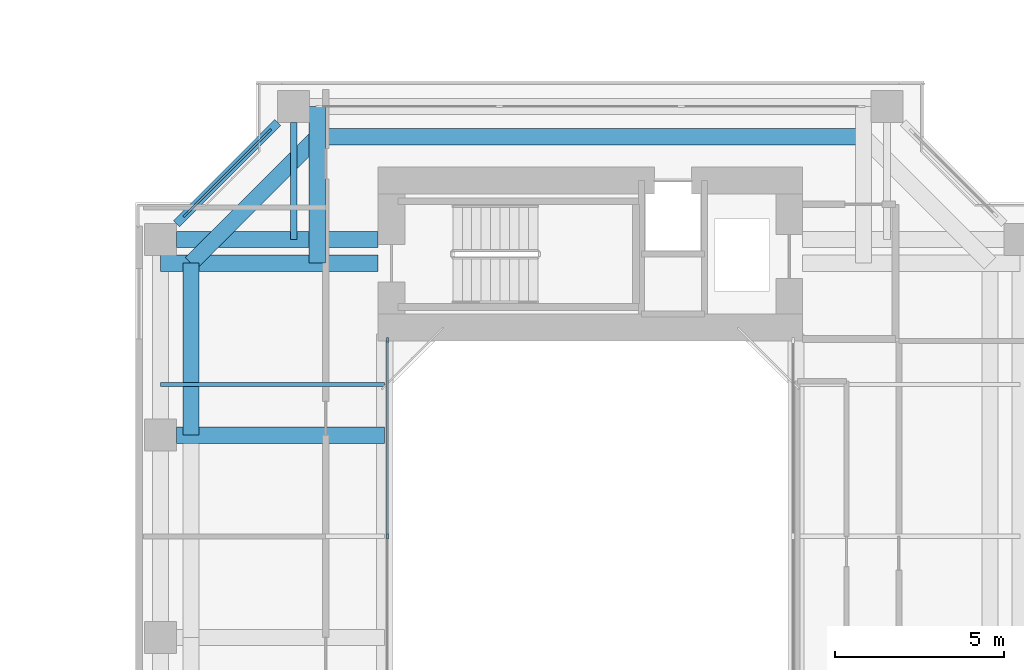
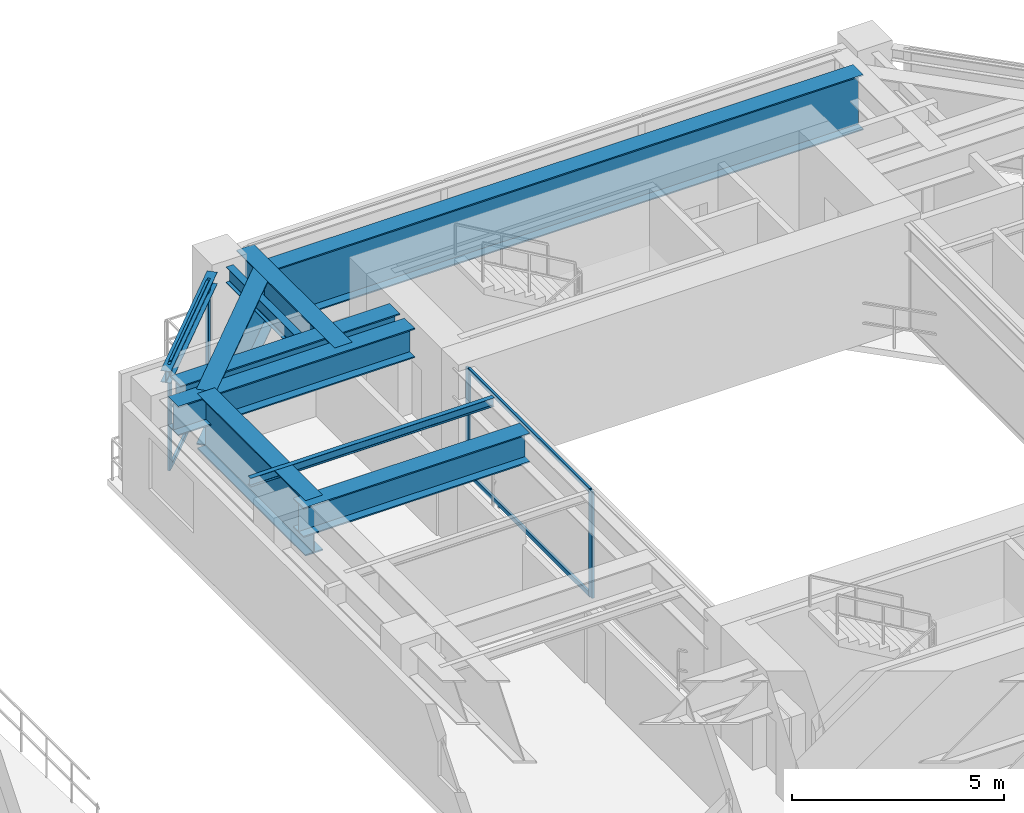
# One storey, part 9 of 23: 10 beams, 8 members, 2 elements without a shape of their own.
"""IFC4 building model written with IfcOpenShell, lengths in metres."""

import ifcopenshell
import ifcopenshell.guid

model = None  # the IFC model being written
_history = None  # IfcOwnerHistory: only IFC2X3 demands one
_inside = {}  # id of a spatial element -> (the spatial element, [elements in it])
_under = {}  # id of a project, library or spatial element -> (it, [spatial elements below it])
_declared = {}  # id of a project -> (the project, [libraries it declares])
_typed = {}  # id of a type object -> (the type object, [elements of that type])
_made_of = {}  # id of a material, layer set ... -> (it, [elements and type objects made of it])


def new_model(schema):
    """Start an empty IFC model of exactly this schema.

    Asked for "IFC4X3", IfcOpenShell would pick the latest addendum, in which some entities
    have other attributes; the version numbers below select the first issue.
    IFC2X3 requires an IfcOwnerHistory on every rooted entity: one is made here for all.
    """
    global model, _history
    if schema == "IFC4X3":
        model = ifcopenshell.file(schema_version=(4, 3, 0, 0))
    else:
        model = ifcopenshell.file(schema=schema)
    _inside.clear()
    _under.clear()
    _declared.clear()
    _typed.clear()
    _made_of.clear()
    _history = None
    if model.schema == "IFC2X3":
        org = make("IfcOrganization", Name="unknown")
        user = make(
            "IfcPersonAndOrganization",
            ThePerson=make("IfcPerson", FamilyName="unknown"),
            TheOrganization=org,
        )
        app = make(
            "IfcApplication",
            ApplicationDeveloper=org,
            Version="unknown",
            ApplicationFullName="unknown",
            ApplicationIdentifier="unknown",
        )
        _history = make(
            "IfcOwnerHistory",
            OwningUser=user,
            OwningApplication=app,
            ChangeAction="ADDED",
            CreationDate=0,
        )
    return model


def make(cls, **values):
    """One entity of the class cls with the attributes given. An attribute that is None is left unset."""
    return model.create_entity(
        cls, **{name: value for name, value in values.items() if value is not None}
    )


def rooted(cls, **values):
    """An entity with a GlobalId (a new one), such as an element, a storey or a relation."""
    return make(cls, GlobalId=ifcopenshell.guid.new(), OwnerHistory=_history, **values)


def si_unit(unit_type, name, prefix=None):
    """IfcSIUnit, for example si_unit("LENGTHUNIT", "METRE", prefix="MILLI")."""
    return make("IfcSIUnit", UnitType=unit_type, Prefix=prefix, Name=name)


def assignment(units):
    """IfcUnitAssignment: the units of a project."""
    return None if units is None else make("IfcUnitAssignment", Units=units)


def point(xyz):
    """IfcCartesianPoint."""
    return None if xyz is None else make("IfcCartesianPoint", Coordinates=xyz)


def direction(xyz):
    """IfcDirection."""
    return None if xyz is None else make("IfcDirection", DirectionRatios=xyz)


def frame(location, z_axis=None, x_axis=None):
    """IfcAxis2Placement3D, a coordinate frame: its origin and axes. An axis left out is left unset."""
    return make(
        "IfcAxis2Placement3D",
        Location=point(location),
        Axis=direction(z_axis),
        RefDirection=direction(x_axis),
    )


def frame_2d(location, x_axis=None):
    """IfcAxis2Placement2D, a coordinate frame in the plane: its origin and x axis."""
    return make(
        "IfcAxis2Placement2D", Location=point(location), RefDirection=direction(x_axis)
    )


def origin():
    """The frame at (0, 0, 0) with its axes left unset."""
    return frame((0.0, 0.0, 0.0))


def origin_2d():
    """The frame at (0, 0) in the plane with its x axis left unset."""
    return frame_2d((0.0, 0.0))


def place(relative_to, where):
    """IfcLocalPlacement: puts the frame where relative to a parent placement (None: the world)."""
    return make(
        "IfcLocalPlacement", PlacementRelTo=relative_to, RelativePlacement=where
    )


def context(
    kind, dimensions, precision=None, world=None, true_north=None, identifier=None
):
    """IfcGeometricRepresentationContext, for example the 3D "Model" context."""
    return make(
        "IfcGeometricRepresentationContext",
        ContextIdentifier=identifier,
        ContextType=kind,
        CoordinateSpaceDimension=dimensions,
        Precision=precision,
        WorldCoordinateSystem=world,
        TrueNorth=true_north,
    )


def subcontext(parent, identifier, kind, view, scale=None):
    """IfcGeometricRepresentationSubContext, for example "Body" below "Model"."""
    return make(
        "IfcGeometricRepresentationSubContext",
        ContextIdentifier=identifier,
        ContextType=kind,
        ParentContext=parent,
        TargetScale=scale,
        TargetView=view,
    )


def project(units=None, contexts=None):
    """IfcProject with its units and contexts."""
    return rooted(
        "IfcProject",
        Name="project",
        RepresentationContexts=contexts,
        UnitsInContext=assignment(units),
    )


def spatial(cls, under=None, at=None, **own):
    """A site, building, storey or space (cls), placed at a placement, below another one or the project."""
    s = rooted(cls, ObjectPlacement=at, **own)
    if under is not None:
        _under.setdefault(under.id(), (under, []))[1].append(s)
    return s


def profile(cls, at=None, kind="AREA", **sizes):
    """A parametric profile (cls). Its sizes go by their IFC names, for example OverallWidth=200.0."""
    return make(cls, ProfileType=kind, Position=at, **sizes)


def rectangle(**sizes):
    """IfcRectangleProfileDef."""
    return profile("IfcRectangleProfileDef", **sizes)


def i_section(**sizes):
    """IfcIShapeProfileDef."""
    return profile("IfcIShapeProfileDef", **sizes)


def extrude(swept, where, along, depth):
    """IfcExtrudedAreaSolid: the profile swept, set in the frame where, extruded along a direction by depth."""
    return make(
        "IfcExtrudedAreaSolid",
        SweptArea=swept,
        Position=where,
        ExtrudedDirection=direction(along),
        Depth=depth,
    )


def shape(context_of_items, identifier, shape_type, items):
    """IfcShapeRepresentation: the items that make up one representation, for example the "Body"."""
    return make(
        "IfcShapeRepresentation",
        ContextOfItems=context_of_items,
        RepresentationIdentifier=identifier,
        RepresentationType=shape_type,
        Items=items,
    )


def source(mapping_origin, context_of_items, identifier, shape_type, items):
    """IfcRepresentationMap: a shape defined once, which mapped items show again and again."""
    return make(
        "IfcRepresentationMap",
        MappingOrigin=mapping_origin,
        MappedRepresentation=shape(context_of_items, identifier, shape_type, items),
    )


def transform(
    local_origin,
    x_axis=None,
    y_axis=None,
    z_axis=None,
    scale=None,
    scale2=None,
    scale3=None,
    uniform=True,
):
    """IfcCartesianTransformationOperator3D, or its non-uniform kind. x_axis, y_axis, z_axis: its Axis1, 2, 3."""
    if uniform:
        return make(
            "IfcCartesianTransformationOperator3D",
            Axis1=direction(x_axis),
            Axis2=direction(y_axis),
            LocalOrigin=point(local_origin),
            Scale=scale,
            Axis3=direction(z_axis),
        )
    return make(
        "IfcCartesianTransformationOperator3DnonUniform",
        Axis1=direction(x_axis),
        Axis2=direction(y_axis),
        LocalOrigin=point(local_origin),
        Scale=scale,
        Axis3=direction(z_axis),
        Scale2=scale2,
        Scale3=scale3,
    )


def mapped(mapping_source, mapping_target):
    """IfcMappedItem: shows the shape of a source again, moved by a transform."""
    return make(
        "IfcMappedItem", MappingSource=mapping_source, MappingTarget=mapping_target
    )


def material(Name=None, Category=None):
    """IfcMaterial."""
    return make("IfcMaterial", Name=Name, Category=Category)


def layer(
    of_material, thickness, ventilated=None, Name=None, Category=None, Priority=None
):
    """IfcMaterialLayer: one layer of a wall or slab, of a material (None: an air gap)."""
    return make(
        "IfcMaterialLayer",
        Material=of_material,
        LayerThickness=thickness,
        IsVentilated=ventilated,
        Name=Name,
        Category=Category,
        Priority=Priority,
    )


def layer_set(layers, Name=None):
    """IfcMaterialLayerSet."""
    return make("IfcMaterialLayerSet", MaterialLayers=layers, LayerSetName=Name)


def material_profile(
    of_material, cross_section, Name=None, Category=None, Priority=None
):
    """IfcMaterialProfile: a cross section and its material."""
    return make(
        "IfcMaterialProfile",
        Name=Name,
        Material=of_material,
        Profile=cross_section,
        Priority=Priority,
        Category=Category,
    )


def profile_set(profiles, Name=None, composite=None):
    """IfcMaterialProfileSet."""
    return make(
        "IfcMaterialProfileSet",
        Name=Name,
        MaterialProfiles=profiles,
        CompositeProfile=composite,
    )


def made_of(thing, what):
    """Note that an element or type object is made of a material, layer set ...; save() writes the relation."""
    if what is not None:
        _made_of.setdefault(what.id(), (what, []))[1].append(thing)
    return thing


def type_object(cls, material=None, **own):
    """A type object (cls), such as IfcWallType, which elements share."""
    return made_of(rooted(cls, **own), material)


def element(
    cls,
    number,
    at=None,
    inside=None,
    cuts=None,
    type_object=None,
    material=None,
    context=None,
    identifier="Body",
    shape_type=None,
    held_by="IfcProductDefinitionShape",
    body=None,
    shapes=None,
    **own,
):
    """One element of the class cls, such as IfcWall. Its Tag is "e" and its number.

    at: its placement. inside: the storey or other place that contains it. cuts: it is an
    opening in that element (IfcRelVoidsElement). A single representation is given by context,
    identifier, shape_type and body (its items); several are given by shapes. held_by: the class
    of the entity that holds the representations. save() writes the other relations.
    """
    e = rooted(cls, Tag="e%d" % number, ObjectPlacement=at, **own)
    if body is not None:
        shapes = [shape(context, identifier, shape_type, body)]
    if shapes is not None:
        e.Representation = make(held_by, Representations=shapes)
    if inside is not None:
        _inside.setdefault(inside.id(), (inside, []))[1].append(e)
    if cuts is not None:
        rooted(
            "IfcRelVoidsElement", RelatingBuildingElement=cuts, RelatedOpeningElement=e
        )
    if type_object is not None:
        _typed.setdefault(type_object.id(), (type_object, []))[1].append(e)
    return made_of(e, material)


def aggregate(whole, parts):
    """IfcRelAggregates: a whole, such as a stair, and the parts it consists of."""
    return rooted("IfcRelAggregates", RelatingObject=whole, RelatedObjects=parts)


def save(model, path):
    """Write the relations noted so far, then the file.

    IfcRelAggregates (storeys below a building ...), IfcRelContainedInSpatialStructure (elements
    in a storey), IfcRelDefinesByType, IfcRelAssociatesMaterial and IfcRelDeclares: one each for
    every whole, place, type object, material and project.
    """
    for whole, parts in _under.values():
        aggregate(whole, parts)
    for where, things in _inside.values():
        rooted(
            "IfcRelContainedInSpatialStructure",
            RelatedElements=things,
            RelatingStructure=where,
        )
    for kind, things in _typed.values():
        rooted("IfcRelDefinesByType", RelatedObjects=things, RelatingType=kind)
    for what, things in _made_of.values():
        rooted("IfcRelAssociatesMaterial", RelatedObjects=things, RelatingMaterial=what)
    for by, libraries in _declared.values():
        rooted("IfcRelDeclares", RelatingContext=by, RelatedDefinitions=libraries)
    model.write(path)


model = new_model("IFC4")

# Units and contexts
model_context = context("Model", 3, precision=1e-05, world=origin(), true_north=direction((0.0, 1.0)))
body_context = subcontext(model_context, "Body", "Model", "MODEL_VIEW")
ifc_project = project(units=[si_unit("LENGTHUNIT", "METRE"), si_unit("AREAUNIT", "SQUARE_METRE"), si_unit("VOLUMEUNIT", "CUBIC_METRE"), si_unit("PLANEANGLEUNIT", "RADIAN"), si_unit("MASSUNIT", "GRAM", prefix="KILO"), si_unit("THERMODYNAMICTEMPERATUREUNIT", "KELVIN"), si_unit("POWERUNIT", "WATT")], contexts=[model_context])

# Site, building, storey
site_placement = place(None, origin())
site = spatial("IfcSite", under=ifc_project, at=site_placement, CompositionType="ELEMENT")
building_placement = place(site_placement, origin())
building = spatial("IfcBuilding", under=site, at=building_placement, Name="Qiaomeng Ring Towers", CompositionType="ELEMENT")
storey_placement = place(building_placement, frame((0.0, 0.0, 66.5)))
storey = spatial("IfcBuildingStorey", under=building, at=storey_placement, Name="L18", CompositionType="ELEMENT", Elevation=66.5)

# Beams
ifc_material_1 = material(Name="Steel Q355B", Category="steel")
ifc_material_profile_1 = material_profile(ifc_material_1, i_section(OverallWidth=0.25, OverallDepth=0.340087890625, WebThickness=0.009033203125, FlangeThickness=0.013916015625, FilletRadius=0.02001953125, at=origin_2d()), Name="HM 340x250x9x14")
ifc_profile_set_1 = profile_set([ifc_material_profile_1], Name="Steel Q355B")
beam_type_1 = type_object("IfcBeamType", Name="STR-BM-HM340", PredefinedType="SPANDREL", material=ifc_profile_set_1)
shared_shape_1 = source(origin(), body_context, "Body", "SweptSolid", [
    extrude(i_section(OverallWidth=0.25, OverallDepth=0.340087890625, WebThickness=0.009033203125, FlangeThickness=0.013916015625, FilletRadius=0.02001953125, at=origin_2d()), origin(), (0.0, 0.0, 1.0), 4.244384765625),
])
beam_1_placement = place(storey_placement, frame((51.2255859375, 35.275634765625, 2.89990234375), z_axis=(-0.707106781187, -0.707106781187, 0.0), x_axis=(0.707106781187, -0.707106781187, 0.0)))
element("IfcBeam", 1, at=beam_1_placement, inside=storey, type_object=beam_type_1, Name="L18 beam STR-SP-L18-T2-N1-W4", PredefinedType="SPANDREL", context=body_context, shape_type="MappedRepresentation", body=[
    mapped(shared_shape_1, transform((0.0, 0.0, 0.0), x_axis=(1.0, 0.0, 0.0), y_axis=(0.0, 1.0, 0.0), z_axis=(0.0, 0.0, 1.0), scale=1.0)),
])
ifc_material_profile_2 = material_profile(ifc_material_1, i_section(OverallWidth=0.199951171875, OverallDepth=0.449951171875, WebThickness=0.009033203125, FlangeThickness=0.013916015625, FilletRadius=0.01806640625, at=origin_2d()), Name="HN 450x200x9x14")
ifc_profile_set_2 = profile_set([ifc_material_profile_2], Name="Steel Q355B")
beam_type_2 = type_object("IfcBeamType", Name="STR-BM-HN450", PredefinedType="SPANDREL", material=ifc_profile_set_2)
shared_shape_2 = source(origin(), body_context, "Body", "SweptSolid", [
    extrude(i_section(OverallWidth=0.199951171875, OverallDepth=0.449951171875, WebThickness=0.009033203125, FlangeThickness=0.013916015625, FilletRadius=0.01806640625, at=origin_2d()), origin(), (0.0, 0.0, 1.0), 3.475830078125),
])
beam_2_placement = place(storey_placement, frame((51.699951171875, 35.27587890625, 2.844970703125), z_axis=(0.0, -1.0, 0.0), x_axis=(1.0, 0.0, 0.0)))
element("IfcBeam", 2, at=beam_2_placement, inside=storey, type_object=beam_type_2, Name="L18 beam STR-BM-L18-T2-RAD-N1", PredefinedType="SPANDREL", context=body_context, shape_type="MappedRepresentation", body=[
    mapped(shared_shape_2, transform((0.0, 0.0, 0.0), x_axis=(1.0, 0.0, 0.0), y_axis=(0.0, 1.0, 0.0), z_axis=(0.0, 0.0, 1.0), scale=1.0)),
])
ifc_material_profile_3 = material_profile(ifc_material_1, i_section(OverallWidth=0.125, OverallDepth=0.25, WebThickness=0.006103515625, FlangeThickness=0.009033203125, FilletRadius=0.011962890625, at=origin_2d()), Name="HN 250x125x6x9")
ifc_profile_set_3 = profile_set([ifc_material_profile_3], Name="Steel Q355B")
beam_type_3 = type_object("IfcBeamType", Name="STR-BM-HN250", PredefinedType="JOIST", material=ifc_profile_set_3)
shared_shape_3 = source(origin(), body_context, "Body", "SweptSolid", [
    extrude(i_section(OverallWidth=0.125, OverallDepth=0.25, WebThickness=0.006103515625, FlangeThickness=0.009033203125, FilletRadius=0.011962890625, at=origin_2d()), origin(), (0.0, 0.0, 1.0), 6.64990234375),
])
beam_3_placement = place(storey_placement, frame((47.75, 27.5, 2.945068359375), z_axis=(1.0, 0.0, 0.0), x_axis=(0.0, 1.0, 0.0)))
element("IfcBeam", 3, at=beam_3_placement, inside=storey, type_object=beam_type_3, Name="L18 beam STR-JST-L18-T2W-3", PredefinedType="JOIST", context=body_context, shape_type="MappedRepresentation", body=[
    mapped(shared_shape_3, transform((0.0, 0.0, 0.0), x_axis=(1.0, 0.0, 0.0), y_axis=(0.0, 1.0, 0.0), z_axis=(0.0, 0.0, 1.0), scale=1.0)),
])
ifc_material_2 = material(Name="Steel Q390GJC", Category="steel")
ifc_material_profile_4 = material_profile(ifc_material_2, i_section(OverallWidth=0.47998046875, OverallDepth=0.85009765625, WebThickness=0.02197265625, FlangeThickness=0.035888671875, at=origin_2d()), Name="WH 850x480x22x36")
ifc_profile_set_4 = profile_set([ifc_material_profile_4], Name="Steel Q390GJC")
beam_type_4 = type_object("IfcBeamType", Name="STR-TG-WH850", PredefinedType="USERDEFINED", material=ifc_profile_set_4)
shared_shape_4 = source(origin(), body_context, "Body", "SweptSolid", [
    extrude(i_section(OverallWidth=0.47998046875, OverallDepth=0.85009765625, WebThickness=0.02197265625, FlangeThickness=0.035888671875, at=origin_2d()), origin(), (0.0, 0.0, 1.0), 5.975830078125),
])
beam_4_placement = place(storey_placement, frame((48.22412109375, 31.800048828125, 2.64501953125), z_axis=(1.0, 0.0, 0.0), x_axis=(0.0, 1.0, 0.0)))
element("IfcBeam", 4, at=beam_4_placement, inside=storey, type_object=beam_type_4, Name="L18 Transfer Girder STR-TG3-L18-T2-W4-CUR", ObjectType="TRANSFER GIRDER", PredefinedType="USERDEFINED", context=body_context, shape_type="MappedRepresentation", body=[
    mapped(shared_shape_4, transform((0.0, 0.0, 0.0), x_axis=(1.0, 0.0, 0.0), y_axis=(0.0, 1.0, 0.0), z_axis=(0.0, 0.0, 1.0), scale=1.0)),
])
shared_shape_5 = source(origin(), body_context, "Body", "SweptSolid", [
    extrude(i_section(OverallWidth=0.47998046875, OverallDepth=0.85009765625, WebThickness=0.02197265625, FlangeThickness=0.035888671875, at=origin_2d()), origin(), (0.0, 0.0, 1.0), 6.449951171875),
])
beam_5_placement = place(storey_placement, frame((47.75, 31.10009765625, 2.64501953125), z_axis=(1.0, 0.0, 0.0), x_axis=(0.0, 1.0, 0.0)))
element("IfcBeam", 5, at=beam_5_placement, inside=storey, type_object=beam_type_4, Name="L18 Transfer Girder STR-TG3-L18-T2-W4-NXT", ObjectType="TRANSFER GIRDER", PredefinedType="USERDEFINED", context=body_context, shape_type="MappedRepresentation", body=[
    mapped(shared_shape_5, transform((0.0, 0.0, 0.0), x_axis=(1.0, 0.0, 0.0), y_axis=(0.0, 1.0, 0.0), z_axis=(0.0, 0.0, 1.0), scale=1.0)),
])
shared_shape_6 = source(origin(), body_context, "Body", "SweptSolid", [
    extrude(i_section(OverallWidth=0.47998046875, OverallDepth=0.85009765625, WebThickness=0.02197265625, FlangeThickness=0.035888671875, at=origin_2d()), origin(), (0.0, 0.0, 1.0), 6.17578125),
])
beam_6_placement = place(storey_placement, frame((48.22412109375, 26.0, 2.64501953125), z_axis=(1.0, 0.0, 0.0), x_axis=(0.0, 1.0, 0.0)))
element("IfcBeam", 6, at=beam_6_placement, inside=storey, type_object=beam_type_4, Name="L18 Transfer Girder STR-TG3-L18-T2-W3", ObjectType="TRANSFER GIRDER", PredefinedType="USERDEFINED", context=body_context, shape_type="MappedRepresentation", body=[
    mapped(shared_shape_6, transform((0.0, 0.0, 0.0), x_axis=(1.0, 0.0, 0.0), y_axis=(0.0, 1.0, 0.0), z_axis=(0.0, 0.0, 1.0), scale=1.0)),
])
shared_shape_7 = source(origin(), body_context, "Body", "SweptSolid", [
    extrude(i_section(OverallWidth=0.47998046875, OverallDepth=0.85009765625, WebThickness=0.02197265625, FlangeThickness=0.035888671875, at=origin_2d()), origin(), (0.0, 0.0, 1.0), 4.64990234375),
])
beam_7_placement = place(storey_placement, frame((52.39990234375, 35.75, 2.64501953125), z_axis=(0.0, -1.0, 0.0), x_axis=(1.0, 0.0, 0.0)))
element("IfcBeam", 7, at=beam_7_placement, inside=storey, type_object=beam_type_4, Name="L18 Transfer Girder STR-TG3-L18-T2-N1", ObjectType="TRANSFER GIRDER", PredefinedType="USERDEFINED", context=body_context, shape_type="MappedRepresentation", body=[
    mapped(shared_shape_7, transform((0.0, 0.0, 0.0), x_axis=(1.0, 0.0, 0.0), y_axis=(0.0, 1.0, 0.0), z_axis=(0.0, 0.0, 1.0), scale=1.0)),
])
ifc_material_profile_5 = material_profile(ifc_material_2, i_section(OverallWidth=0.47998046875, OverallDepth=1.60009765625, WebThickness=0.02197265625, FlangeThickness=0.035888671875, at=origin_2d()), Name="WH 1600x480x22x36")
ifc_profile_set_5 = profile_set([ifc_material_profile_5], Name="Steel Q390GJC")
beam_type_5 = type_object("IfcBeamType", Name="STR-TG-WH1600", PredefinedType="USERDEFINED", material=ifc_profile_set_5)
shared_shape_8 = source(origin(), body_context, "Body", "SweptSolid", [
    extrude(i_section(OverallWidth=0.47998046875, OverallDepth=1.60009765625, WebThickness=0.02197265625, FlangeThickness=0.035888671875, at=origin_2d()), origin(), (0.0, 0.0, 1.0), 16.2001953125),
])
beam_8_placement = place(storey_placement, frame((68.60009765625, 34.85009765625, 2.27001953125), z_axis=(-1.0, 0.0, 0.0), x_axis=(0.0, -1.0, 0.0)))
element("IfcBeam", 8, at=beam_8_placement, inside=storey, type_object=beam_type_5, Name="L18 Transfer Girder STR-TG3-L18-T2-N2-N1", ObjectType="TRANSFER GIRDER", PredefinedType="USERDEFINED", context=body_context, shape_type="MappedRepresentation", body=[
    mapped(shared_shape_8, transform((0.0, 0.0, 0.0), x_axis=(1.0, 0.0, 0.0), y_axis=(0.0, 1.0, 0.0), z_axis=(0.0, 0.0, 1.0), scale=1.0)),
])
shared_shape_9 = source(origin(), body_context, "Body", "SweptSolid", [
    extrude(i_section(OverallWidth=0.47998046875, OverallDepth=1.60009765625, WebThickness=0.02197265625, FlangeThickness=0.035888671875, at=origin_2d()), origin(), (0.0, 0.0, 1.0), 5.30322265625),
])
beam_9_placement = place(storey_placement, frame((52.39990234375, 34.85009765625, 2.27001953125), z_axis=(-0.707106781187, -0.707106781187, 0.0), x_axis=(0.707106781187, -0.707106781187, 0.0)))
element("IfcBeam", 9, at=beam_9_placement, inside=storey, type_object=beam_type_5, Name="L18 Transfer Girder STR-TG3-L18-T2-N1-W4", ObjectType="TRANSFER GIRDER", PredefinedType="USERDEFINED", context=body_context, shape_type="MappedRepresentation", body=[
    mapped(shared_shape_9, transform((0.0, 0.0, 0.0), x_axis=(1.0, 0.0, 0.0), y_axis=(0.0, 1.0, 0.0), z_axis=(0.0, 0.0, 1.0), scale=1.0)),
])
shared_shape_10 = source(origin(), body_context, "Body", "SweptSolid", [
    extrude(i_section(OverallWidth=0.47998046875, OverallDepth=1.60009765625, WebThickness=0.02197265625, FlangeThickness=0.035888671875, at=origin_2d()), origin(), (0.0, 0.0, 1.0), 5.10009765625),
])
beam_10_placement = place(storey_placement, frame((48.64990234375, 31.10009765625, 2.27001953125), z_axis=(0.0, -1.0, 0.0), x_axis=(1.0, 0.0, 0.0)))
element("IfcBeam", 10, at=beam_10_placement, inside=storey, type_object=beam_type_5, Name="L18 Transfer Girder STR-TG3-L18-T2-W4-W3", ObjectType="TRANSFER GIRDER", PredefinedType="USERDEFINED", context=body_context, shape_type="MappedRepresentation", body=[
    mapped(shared_shape_10, transform((0.0, 0.0, 0.0), x_axis=(1.0, 0.0, 0.0), y_axis=(0.0, 1.0, 0.0), z_axis=(0.0, 0.0, 1.0), scale=1.0)),
])

# Curtain wall, members
ifc_material_3 = material(Name="Fluorocarbon dark-grey aluminium", Category="aluminium")
ifc_layer_1 = layer(ifc_material_3, 0.139892578125, Name="Fluorocarbon dark-grey aluminium")
ifc_layer_set_1 = layer_set([ifc_layer_1], Name="Fluorocarbon dark-grey aluminium")
curtain_wall_type_1 = type_object("IfcCurtainWallType", Name="ARC-CW-4", PredefinedType="NOTDEFINED", material=ifc_layer_set_1)
curtain_wall_1_placement = place(storey_placement, origin())
curtain_wall_1 = element("IfcCurtainWall", 11, at=curtain_wall_1_placement, inside=storey, type_object=curtain_wall_type_1, Name="L18 Curtain Wall CW4", PredefinedType="NOTDEFINED")
ifc_material_profile_6 = material_profile(ifc_material_3, rectangle(XDim=0.06494140625, YDim=0.159912109375, at=origin_2d()), Name="ALU MULL 65x160")
ifc_profile_set_6 = profile_set([ifc_material_profile_6], Name="Fluorocarbon dark-grey aluminium")
member_type_1 = type_object("IfcMemberType", Name="ARC-CWM-140", PredefinedType="MULLION", material=ifc_profile_set_6)
shared_shape_11 = source(origin(), body_context, "Body", "SweptSolid", [
    extrude(rectangle(XDim=0.06494140625, YDim=0.159912109375, at=origin_2d()), origin(), (0.0, 0.0, 1.0), 3.070068359375),
])
member_1_placement = place(storey_placement, frame((54.47998046875, 23.0, 0.0), z_axis=(0.0, 0.0, 1.0), x_axis=(-1.0, 0.0, 0.0)))
member_1 = element("IfcMember", 12, at=member_1_placement, type_object=member_type_1, Name="CW4 mullion 2", PredefinedType="MULLION", context=body_context, shape_type="MappedRepresentation", body=[
    mapped(shared_shape_11, transform((0.0, 0.0, 0.0), x_axis=(1.0, 0.0, 0.0), y_axis=(0.0, 1.0, 0.0), z_axis=(0.0, 0.0, 1.0), scale=1.0)),
])
member_2_placement = place(storey_placement, frame((54.47998046875, 28.8173828125, 0.0), z_axis=(0.0, 0.0, 1.0), x_axis=(-1.0, 0.0, 0.0)))
member_2 = element("IfcMember", 13, at=member_2_placement, type_object=member_type_1, Name="CW4 mullion 3", PredefinedType="MULLION", context=body_context, shape_type="MappedRepresentation", body=[
    mapped(shared_shape_11, transform((0.0, 0.0, 0.0), x_axis=(1.0, 0.0, 0.0), y_axis=(0.0, 1.0, 0.0), z_axis=(0.0, 0.0, 1.0), scale=1.0)),
])
ifc_material_profile_7 = material_profile(ifc_material_3, rectangle(XDim=0.06494140625, YDim=0.1298828125, at=origin_2d()), Name="ALU TRAN 65x130")
ifc_profile_set_7 = profile_set([ifc_material_profile_7], Name="Fluorocarbon dark-grey aluminium")
member_type_2 = type_object("IfcMemberType", Name="ARC-CWT-120", PredefinedType="USERDEFINED", material=ifc_profile_set_7)
shared_shape_12 = source(origin(), body_context, "Body", "SweptSolid", [
    extrude(rectangle(XDim=0.06494140625, YDim=0.1298828125, at=origin_2d()), origin(), (0.0, 0.0, 1.0), 5.75244140625),
])
member_3_placement = place(storey_placement, frame((54.47998046875, 23.032470703125, 0.032470703125), z_axis=(0.0, 1.0, 0.0), x_axis=(-1.0, 0.0, 0.0)))
member_3 = element("IfcMember", 14, at=member_3_placement, type_object=member_type_2, Name="CW4 transom 2.1", ObjectType="TRANSOM", PredefinedType="USERDEFINED", context=body_context, shape_type="MappedRepresentation", body=[
    mapped(shared_shape_12, transform((0.0, 0.0, 0.0), x_axis=(1.0, 0.0, 0.0), y_axis=(0.0, 1.0, 0.0), z_axis=(0.0, 0.0, 1.0), scale=1.0)),
])
member_4_placement = place(storey_placement, frame((54.47998046875, 23.032470703125, 3.03759765625), z_axis=(0.0, 1.0, 0.0), x_axis=(-1.0, 0.0, 0.0)))
member_4 = element("IfcMember", 15, at=member_4_placement, type_object=member_type_2, Name="CW4 transom 2.2", ObjectType="TRANSOM", PredefinedType="USERDEFINED", context=body_context, shape_type="MappedRepresentation", body=[
    mapped(shared_shape_12, transform((0.0, 0.0, 0.0), x_axis=(1.0, 0.0, 0.0), y_axis=(0.0, 1.0, 0.0), z_axis=(0.0, 0.0, 1.0), scale=1.0)),
])
aggregate(curtain_wall_1, [member_1, member_2, member_3, member_4])

ifc_layer_2 = layer(ifc_material_3, 0.14990234375, Name="Fluorocarbon dark-grey aluminium")
ifc_layer_set_2 = layer_set([ifc_layer_2], Name="Fluorocarbon dark-grey aluminium")
curtain_wall_type_2 = type_object("IfcCurtainWallType", Name="ARC-CW-5", PredefinedType="NOTDEFINED", material=ifc_layer_set_2)
curtain_wall_2_placement = place(storey_placement, origin())
curtain_wall_2 = element("IfcCurtainWall", 16, at=curtain_wall_2_placement, inside=storey, type_object=curtain_wall_type_2, Name="L18 Curtain Wall CW5", PredefinedType="NOTDEFINED")
ifc_material_profile_8 = material_profile(ifc_material_3, rectangle(XDim=0.070068359375, YDim=0.179931640625, at=origin_2d()), Name="ALU MULL 70x180")
ifc_profile_set_8 = profile_set([ifc_material_profile_8], Name="Fluorocarbon dark-grey aluminium")
member_type_3 = type_object("IfcMemberType", Name="ARC-CWM-160", PredefinedType="MULLION", material=ifc_profile_set_8)
shared_shape_13 = source(origin(), body_context, "Body", "SweptSolid", [
    extrude(rectangle(XDim=0.070068359375, YDim=0.179931640625, at=origin_2d()), origin(), (0.0, 0.0, 1.0), 3.070068359375),
])
member_5_placement = place(storey_placement, frame((50.960205078125, 35.01025390625, 0.0), z_axis=(0.0, 0.0, 1.0), x_axis=(0.707106781187, -0.707106781187, 0.0)))
member_5 = element("IfcMember", 17, at=member_5_placement, type_object=member_type_3, Name="CW5 mullion 1", PredefinedType="MULLION", context=body_context, shape_type="MappedRepresentation", body=[
    mapped(shared_shape_13, transform((0.0, 0.0, 0.0), x_axis=(1.0, 0.0, 0.0), y_axis=(0.0, 1.0, 0.0), z_axis=(0.0, 0.0, 1.0), scale=1.0)),
])
member_6_placement = place(storey_placement, frame((48.48974609375, 32.539794921875, 0.0), z_axis=(0.0, 0.0, 1.0), x_axis=(0.707106781187, -0.707106781187, 0.0)))
member_6 = element("IfcMember", 18, at=member_6_placement, type_object=member_type_3, Name="CW5 mullion 2", PredefinedType="MULLION", context=body_context, shape_type="MappedRepresentation", body=[
    mapped(shared_shape_13, transform((0.0, 0.0, 0.0), x_axis=(1.0, 0.0, 0.0), y_axis=(0.0, 1.0, 0.0), z_axis=(0.0, 0.0, 1.0), scale=1.0)),
])
shared_shape_14 = source(origin(), body_context, "Body", "SweptSolid", [
    extrude(rectangle(XDim=0.06494140625, YDim=0.1298828125, at=origin_2d()), origin(), (0.0, 0.0, 1.0), 3.424072265625),
])
member_7_placement = place(storey_placement, frame((50.935546875, 34.985595703125, 0.032470703125), z_axis=(-0.707106781187, -0.707106781187, 0.0), x_axis=(0.707106781187, -0.707106781187, 0.0)))
member_7 = element("IfcMember", 19, at=member_7_placement, type_object=member_type_2, Name="CW5 transom 1.1", ObjectType="TRANSOM", PredefinedType="USERDEFINED", context=body_context, shape_type="MappedRepresentation", body=[
    mapped(shared_shape_14, transform((0.0, 0.0, 0.0), x_axis=(1.0, 0.0, 0.0), y_axis=(0.0, 1.0, 0.0), z_axis=(0.0, 0.0, 1.0), scale=1.0)),
])
member_8_placement = place(storey_placement, frame((50.935546875, 34.985595703125, 3.03759765625), z_axis=(-0.707106781187, -0.707106781187, 0.0), x_axis=(0.707106781187, -0.707106781187, 0.0)))
member_8 = element("IfcMember", 20, at=member_8_placement, type_object=member_type_2, Name="CW5 transom 1.2", ObjectType="TRANSOM", PredefinedType="USERDEFINED", context=body_context, shape_type="MappedRepresentation", body=[
    mapped(shared_shape_14, transform((0.0, 0.0, 0.0), x_axis=(1.0, 0.0, 0.0), y_axis=(0.0, 1.0, 0.0), z_axis=(0.0, 0.0, 1.0), scale=1.0)),
])
aggregate(curtain_wall_2, [member_5, member_6, member_7, member_8])

save(model, "model.ifc")
